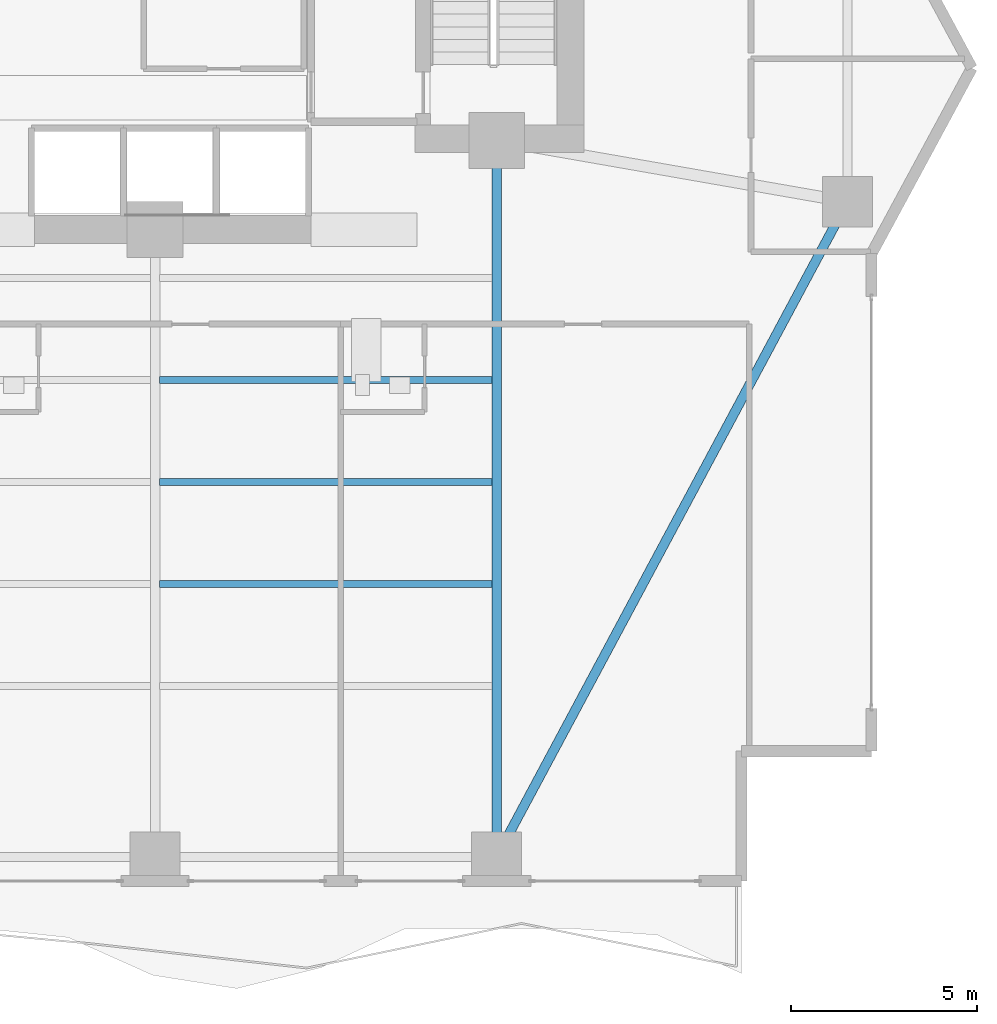
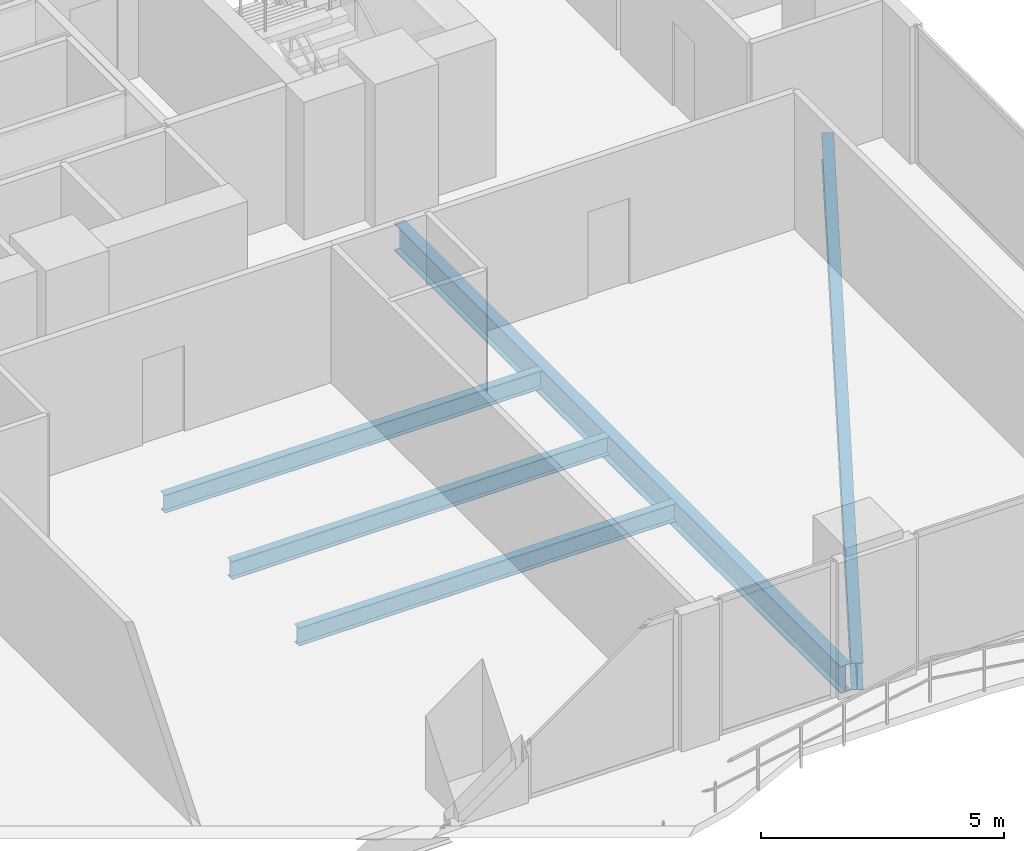
# One storey, part 10 of 28: 5 beams.
"""IFC4 building model written with IfcOpenShell, lengths in metres."""

from ifc_helpers import new_model, si_unit, direction, frame, origin, origin_2d, place, context, subcontext, project, spatial, i_section, extrude, material, material_profile, profile_set, type_object, element, save


model = new_model("IFC4")

# Units and contexts
model_context = context("Model", 3, precision=1e-05, world=origin(), true_north=direction((0.0, 1.0)))
body_context = subcontext(model_context, "Body", "Model", "MODEL_VIEW")
ifc_project = project(units=[si_unit("LENGTHUNIT", "METRE"), si_unit("AREAUNIT", "SQUARE_METRE"), si_unit("VOLUMEUNIT", "CUBIC_METRE"), si_unit("PLANEANGLEUNIT", "RADIAN"), si_unit("MASSUNIT", "GRAM", prefix="KILO")], contexts=[model_context])

# Site, building, storey
site_placement = place(None, origin())
site = spatial("IfcSite", under=ifc_project, at=site_placement, CompositionType="ELEMENT")
building_placement = place(site_placement, origin())
building = spatial("IfcBuilding", under=site, at=building_placement, Name="Zuhayl Quay Hotel", CompositionType="ELEMENT")
storey_placement = place(building_placement, frame((0.0, 0.0, 146.75)))
storey = spatial("IfcBuildingStorey", under=building, at=storey_placement, Name="L37", CompositionType="ELEMENT", Elevation=146.75)

# Beams
ifc_material = material(Name="Steel ASTM A992 Grade 50", Category="steel")
ifc_material_profile_1 = material_profile(ifc_material, i_section(OverallWidth=0.25390625, OverallDepth=0.68310546875, WebThickness=0.012451171875, FlangeThickness=0.018798828125, at=origin_2d()), Name="W27X94")
ifc_profile_set_1 = profile_set([ifc_material_profile_1], Name="Steel ASTM A992 Grade 50")
beam_type_1 = type_object("IfcBeamType", Name="BM_B2_W27X94", PredefinedType="BEAM", material=ifc_profile_set_1)
beam_1_placement = place(storey_placement, frame((14.035888671875, -14.30908203125, -0.5615234375), z_axis=(0.472017301959, 0.88158928456, 0.0), x_axis=(-0.88158928456, 0.472017301959, 0.0)))
element("IfcBeam", 1, at=beam_1_placement, inside=storey, type_object=beam_type_1, Name="L37 Floor Beam RG_L37_04", PredefinedType="BEAM", context=body_context, shape_type="SweptSolid", body=[
    extrude(i_section(OverallWidth=0.25390625, OverallDepth=0.68310546875, WebThickness=0.012451171875, FlangeThickness=0.018798828125, at=origin_2d()), origin(), (0.0, 0.0, 1.0), 19.0205078125),
])
beam_2_placement = place(storey_placement, frame((13.800048828125, -14.25, -0.5615234375), z_axis=(0.0, 1.0, 0.0), x_axis=(-1.0, 0.0, 0.0)))
element("IfcBeam", 2, at=beam_2_placement, inside=storey, type_object=beam_type_1, Name="L37 Floor Beam FG_S_L37_4", PredefinedType="BEAM", context=body_context, shape_type="SweptSolid", body=[
    extrude(i_section(OverallWidth=0.25390625, OverallDepth=0.68310546875, WebThickness=0.012451171875, FlangeThickness=0.018798828125, at=origin_2d()), origin(), (0.0, 0.0, 1.0), 18.35009765625),
])
ifc_material_profile_2 = material_profile(ifc_material, i_section(OverallWidth=0.18994140625, OverallDepth=0.45703125, WebThickness=0.009033203125, FlangeThickness=0.014404296875, at=origin_2d()), Name="W18X50")
ifc_profile_set_2 = profile_set([ifc_material_profile_2], Name="Steel ASTM A992 Grade 50")
beam_type_2 = type_object("IfcBeamType", Name="BM_J2_W18X50", PredefinedType="JOIST", material=ifc_profile_set_2)
for number, where, z_axis, x_axis, name in (
    (3, (4.718994140625, -7.39990234375, -0.448486328125), (1.0, 0.0, 0.0), (0.0, 1.0, 0.0), "L37 Floor Beam FJ_L37_6_3"),
    (4, (4.718994140625, -4.64990234375, -0.448486328125), (1.0, 0.0, 0.0), (0.0, 1.0, 0.0), "L37 Floor Beam FJ_L37_7_3"),
    (5, (4.718994140625, -1.89990234375, -0.448486328125), (1.0, 0.0, 0.0), (0.0, 1.0, 0.0), "L37 Floor Beam FJ_L37_8_3"),
):
    element("IfcBeam", number, at=place(storey_placement, frame(where, z_axis=z_axis, x_axis=x_axis)), inside=storey, type_object=beam_type_2, Name=name, PredefinedType="JOIST", context=body_context, shape_type="SweptSolid", body=[
        extrude(i_section(OverallWidth=0.18994140625, OverallDepth=0.45703125, WebThickness=0.009033203125, FlangeThickness=0.014404296875, at=origin_2d()), origin(), (0.0, 0.0, 1.0), 8.9619140625),
    ])

save(model, "model.ifc")
